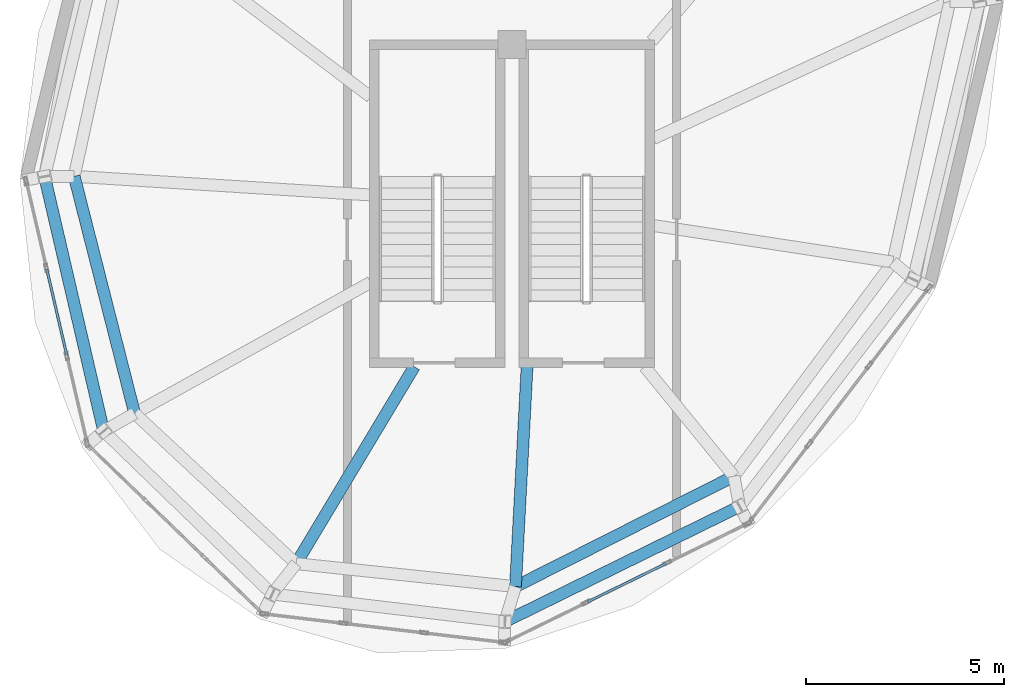
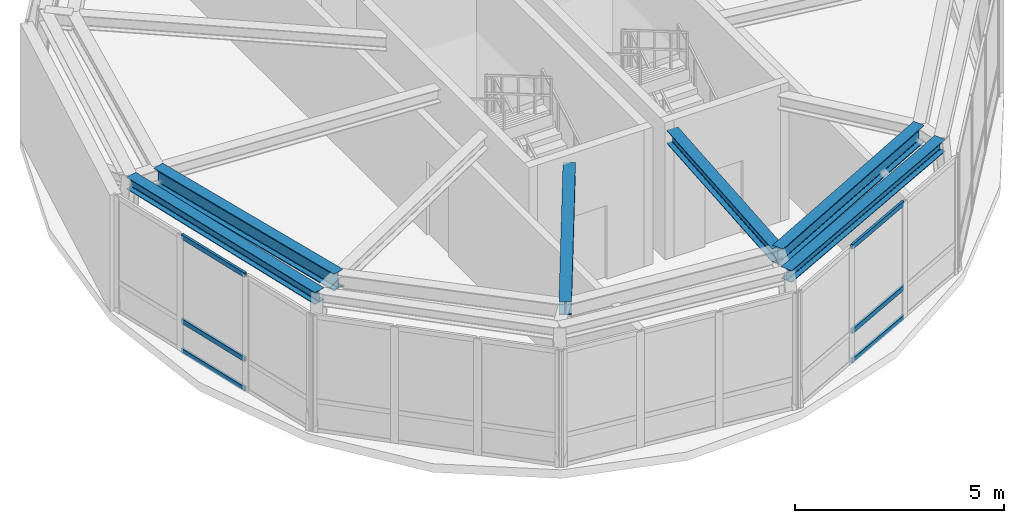
# One storey, part 2 of 9: 6 beams, 6 members, 2 elements without a shape of their own.
"""IFC4 building model written with IfcOpenShell, lengths in metres."""

from ifc_helpers import new_model, si_unit, direction, frame, origin, origin_2d, place, context, subcontext, project, spatial, hollow_rectangle, i_section, extrude, material, layer, layer_set, material_profile, profile_set, type_object, element, aggregate, save


model = new_model("IFC4")

# Units and contexts
model_context = context("Model", 3, precision=1e-05, world=origin(), true_north=direction((0.0, 1.0)))
body_context = subcontext(model_context, "Body", "Model", "MODEL_VIEW")
ifc_project = project(units=[si_unit("LENGTHUNIT", "METRE"), si_unit("AREAUNIT", "SQUARE_METRE"), si_unit("VOLUMEUNIT", "CUBIC_METRE"), si_unit("PLANEANGLEUNIT", "RADIAN"), si_unit("MASSUNIT", "GRAM", prefix="KILO"), si_unit("THERMODYNAMICTEMPERATUREUNIT", "KELVIN"), si_unit("POWERUNIT", "WATT")], contexts=[model_context])

# Site, building, storey
site_placement = place(None, origin())
site = spatial("IfcSite", under=ifc_project, at=site_placement, CompositionType="ELEMENT")
building_placement = place(site_placement, origin())
building = spatial("IfcBuilding", under=site, at=building_placement, Name="Ocrelia Relay Tower", CompositionType="ELEMENT")
storey_placement = place(building_placement, frame((0.0, 0.0, 296.0)))
storey = spatial("IfcBuildingStorey", under=building, at=storey_placement, Name="L74", CompositionType="ELEMENT", Elevation=296.0)

# Beams
ifc_material_1 = material(Name="Steel S355", Category="steel")
ifc_material_profile_1 = material_profile(ifc_material_1, i_section(OverallWidth=0.300048828125, OverallDepth=0.35009765625, WebThickness=0.010009765625, FlangeThickness=0.017578125, FilletRadius=0.027099609375, at=origin_2d()), Name="HEA 360")
ifc_profile_set_1 = profile_set([ifc_material_profile_1], Name="Steel S355")
beam_type_1 = type_object("IfcBeamType", Name="BM-HEA360", PredefinedType="SPANDREL", material=ifc_profile_set_1)
beam_1_placement = place(storey_placement, frame((22.214111328125, 23.7919921875, 3.574951171875), z_axis=(0.225984725193, -0.97413084541, 0.0), x_axis=(0.97413084541, 0.225984725193, 0.0)))
element("IfcBeam", 1, at=beam_1_placement, inside=storey, type_object=beam_type_1, Name="L74 Crown Faceted Ring Beam R05", PredefinedType="SPANDREL", context=body_context, shape_type="SweptSolid", body=[
    extrude(i_section(OverallWidth=0.300048828125, OverallDepth=0.35009765625, WebThickness=0.010009765625, FlangeThickness=0.017578125, FilletRadius=0.027099609375, at=origin_2d()), origin(), (0.0, 0.0, 1.0), 6.591064453125),
])
beam_2_placement = place(storey_placement, frame((33.821044921875, 12.5673828125, 3.574951171875), z_axis=(0.897728879167, 0.440548362283, 0.0), x_axis=(-0.440548362283, 0.897728879167, 0.0)))
element("IfcBeam", 2, at=beam_2_placement, inside=storey, type_object=beam_type_1, Name="L74 Crown Faceted Ring Beam R08", PredefinedType="SPANDREL", context=body_context, shape_type="SweptSolid", body=[
    extrude(i_section(OverallWidth=0.300048828125, OverallDepth=0.35009765625, WebThickness=0.010009765625, FlangeThickness=0.017578125, FilletRadius=0.027099609375, at=origin_2d()), origin(), (0.0, 0.0, 1.0), 6.5908203125),
])
ifc_material_profile_2 = material_profile(ifc_material_1, i_section(OverallWidth=0.300048828125, OverallDepth=0.389892578125, WebThickness=0.010986328125, FlangeThickness=0.01904296875, FilletRadius=0.027099609375, at=origin_2d()), Name="HEA 400")
ifc_profile_set_2 = profile_set([ifc_material_profile_2], Name="Steel S355")
beam_type_2 = type_object("IfcBeamType", Name="BM-HEA400", PredefinedType="SPANDREL", material=ifc_profile_set_2)
beam_3_placement = place(storey_placement, frame((28.55712890625, 14.029296875, 3.554931640625), z_axis=(0.51452675292, 0.857474326455, 0.0), x_axis=(-0.857474326455, 0.51452675292, 0.0)))
element("IfcBeam", 3, at=beam_3_placement, inside=storey, type_object=beam_type_2, Name="L74 Crown Radial Floor Beam 07", PredefinedType="SPANDREL", context=body_context, shape_type="SweptSolid", body=[
    extrude(i_section(OverallWidth=0.300048828125, OverallDepth=0.389892578125, WebThickness=0.010986328125, FlangeThickness=0.01904296875, FilletRadius=0.027099609375, at=origin_2d()), origin(), (0.0, 0.0, 1.0), 5.791259765625),
])
beam_4_placement = place(storey_placement, frame((34.08837890625, 13.44970703125, 3.554931640625), z_axis=(0.052494221452, 0.998621227851, 0.0), x_axis=(-0.998621227851, 0.052494221452, 0.0)))
element("IfcBeam", 4, at=beam_4_placement, inside=storey, type_object=beam_type_2, Name="L74 Crown Radial Floor Beam 08", PredefinedType="SPANDREL", context=body_context, shape_type="SweptSolid", body=[
    extrude(i_section(OverallWidth=0.300048828125, OverallDepth=0.389892578125, WebThickness=0.010986328125, FlangeThickness=0.01904296875, FilletRadius=0.027099609375, at=origin_2d()), origin(), (0.0, 0.0, 1.0), 5.552978515625),
])
ifc_material_profile_3 = material_profile(ifc_material_1, i_section(OverallWidth=0.300048828125, OverallDepth=0.5, WebThickness=0.014404296875, FlangeThickness=0.028076171875, FilletRadius=0.027099609375, at=origin_2d()), Name="HEB 500")
ifc_profile_set_3 = profile_set([ifc_material_profile_3], Name="Steel S355")
beam_type_3 = type_object("IfcBeamType", Name="BM-HEB500", PredefinedType="BEAM", material=ifc_profile_set_3)
for number, where, z_axis, x_axis, name in (
    (5, (22.96142578125, 23.796142578125, 3.5), (0.246843443713, -0.969055372152, 0.0), (0.969055372152, 0.246843443713, 0.0), "L74 Crown Step Perimeter Ring Beam SR05"),
    (6, (34.08837890625, 13.44970703125, 3.5), (0.892504052224, 0.451039373852, 0.0), (-0.451039373852, 0.892504052224, 0.0), "L74 Crown Step Perimeter Ring Beam SR08"),
):
    element("IfcBeam", number, at=place(storey_placement, frame(where, z_axis=z_axis, x_axis=x_axis)), inside=storey, type_object=beam_type_3, Name=name, PredefinedType="BEAM", context=body_context, shape_type="SweptSolid", body=[
        extrude(i_section(OverallWidth=0.300048828125, OverallDepth=0.5, WebThickness=0.014404296875, FlangeThickness=0.028076171875, FilletRadius=0.027099609375, at=origin_2d()), origin(), (0.0, 0.0, 1.0), 6.170654296875),
    ])

# Curtain wall, members
ifc_material_2 = material(Name="Aluminium and solar-control low-E glass", Category="aluminium")
ifc_layer = layer(ifc_material_2, 0.179931640625, Name="Aluminium and solar-control low-E glass")
ifc_layer_set = layer_set([ifc_layer], Name="Aluminium and solar-control low-E glass")
curtain_wall_type = type_object("IfcCurtainWallType", Name="CW-SYS-CROWN-PT", PredefinedType="NOTDEFINED", material=ifc_layer_set)
curtain_wall_1_placement = place(storey_placement, origin())
curtain_wall_1 = element("IfcCurtainWall", 7, at=curtain_wall_1_placement, inside=storey, type_object=curtain_wall_type, Name="L74 Faceted Glass-Point Crown Curtain Wall 05", PredefinedType="NOTDEFINED")
ifc_material_3 = material(Name="Anodised bronze aluminium", Category="aluminium")
ifc_material_profile_4 = material_profile(ifc_material_3, hollow_rectangle(XDim=0.06494140625, YDim=0.139892578125, WallThickness=0.0048828125, at=origin_2d()), Name="CW-TRN-140x65")
ifc_profile_set_4 = profile_set([ifc_material_profile_4], Name="Anodised bronze aluminium")
member_type = type_object("IfcMemberType", Name="CW-SYS-CROWN-PT-TRN", PredefinedType="USERDEFINED", material=ifc_profile_set_4)
member_1_placement = place(storey_placement, frame((22.27001953125, 21.449951171875, 0.032470703125), z_axis=(0.226481792201, -0.97401539916, 0.0), x_axis=(0.97401539916, 0.226481792201, 0.0)))
member_1 = element("IfcMember", 8, at=member_1_placement, type_object=member_type, Name="CW-CR transom 2.1", ObjectType="TRANSOM", PredefinedType="USERDEFINED", context=body_context, shape_type="SweptSolid", body=[
    extrude(hollow_rectangle(XDim=0.06494140625, YDim=0.139892578125, WallThickness=0.0048828125, at=origin_2d()), origin(), (0.0, 0.0, 1.0), 2.208740234375),
])
member_2_placement = place(storey_placement, frame((22.27001953125, 21.449951171875, 0.89990234375), z_axis=(0.226481792201, -0.97401539916, 0.0), x_axis=(0.97401539916, 0.226481792201, 0.0)))
member_2 = element("IfcMember", 9, at=member_2_placement, type_object=member_type, Name="CW-CR transom 2.2", ObjectType="TRANSOM", PredefinedType="USERDEFINED", context=body_context, shape_type="SweptSolid", body=[
    extrude(hollow_rectangle(XDim=0.06494140625, YDim=0.139892578125, WallThickness=0.0048828125, at=origin_2d()), origin(), (0.0, 0.0, 1.0), 2.208740234375),
])
member_3_placement = place(storey_placement, frame((22.27001953125, 21.449951171875, 3.357421875), z_axis=(0.226481792201, -0.97401539916, 0.0), x_axis=(0.97401539916, 0.226481792201, 0.0)))
member_3 = element("IfcMember", 10, at=member_3_placement, type_object=member_type, Name="CW-CR transom 2.3", ObjectType="TRANSOM", PredefinedType="USERDEFINED", context=body_context, shape_type="SweptSolid", body=[
    extrude(hollow_rectangle(XDim=0.06494140625, YDim=0.139892578125, WallThickness=0.0048828125, at=origin_2d()), origin(), (0.0, 0.0, 1.0), 2.208740234375),
])
aggregate(curtain_wall_1, [member_1, member_2, member_3])

curtain_wall_2_placement = place(storey_placement, origin())
curtain_wall_2 = element("IfcCurtainWall", 11, at=curtain_wall_2_placement, inside=storey, type_object=curtain_wall_type, Name="L74 Faceted Glass-Point Crown Curtain Wall 08", PredefinedType="NOTDEFINED")
member_4_placement = place(storey_placement, frame((35.904296875, 13.06201171875, 0.032470703125), z_axis=(0.897979819247, 0.440036639639, 0.0), x_axis=(-0.440036639639, 0.897979819247, 0.0)))
member_4 = element("IfcMember", 12, at=member_4_placement, type_object=member_type, Name="CW-CR transom 2.1", ObjectType="TRANSOM", PredefinedType="USERDEFINED", context=body_context, shape_type="SweptSolid", body=[
    extrude(hollow_rectangle(XDim=0.06494140625, YDim=0.139892578125, WallThickness=0.0048828125, at=origin_2d()), origin(), (0.0, 0.0, 1.0), 2.208740234375),
])
member_5_placement = place(storey_placement, frame((35.904296875, 13.06201171875, 0.89990234375), z_axis=(0.897979819247, 0.440036639639, 0.0), x_axis=(-0.440036639639, 0.897979819247, 0.0)))
member_5 = element("IfcMember", 13, at=member_5_placement, type_object=member_type, Name="CW-CR transom 2.2", ObjectType="TRANSOM", PredefinedType="USERDEFINED", context=body_context, shape_type="SweptSolid", body=[
    extrude(hollow_rectangle(XDim=0.06494140625, YDim=0.139892578125, WallThickness=0.0048828125, at=origin_2d()), origin(), (0.0, 0.0, 1.0), 2.208740234375),
])
member_6_placement = place(storey_placement, frame((35.904296875, 13.06201171875, 3.357421875), z_axis=(0.897979819247, 0.440036639639, 0.0), x_axis=(-0.440036639639, 0.897979819247, 0.0)))
member_6 = element("IfcMember", 14, at=member_6_placement, type_object=member_type, Name="CW-CR transom 2.3", ObjectType="TRANSOM", PredefinedType="USERDEFINED", context=body_context, shape_type="SweptSolid", body=[
    extrude(hollow_rectangle(XDim=0.06494140625, YDim=0.139892578125, WallThickness=0.0048828125, at=origin_2d()), origin(), (0.0, 0.0, 1.0), 2.208740234375),
])
aggregate(curtain_wall_2, [member_4, member_5, member_6])

save(model, "model.ifc")
